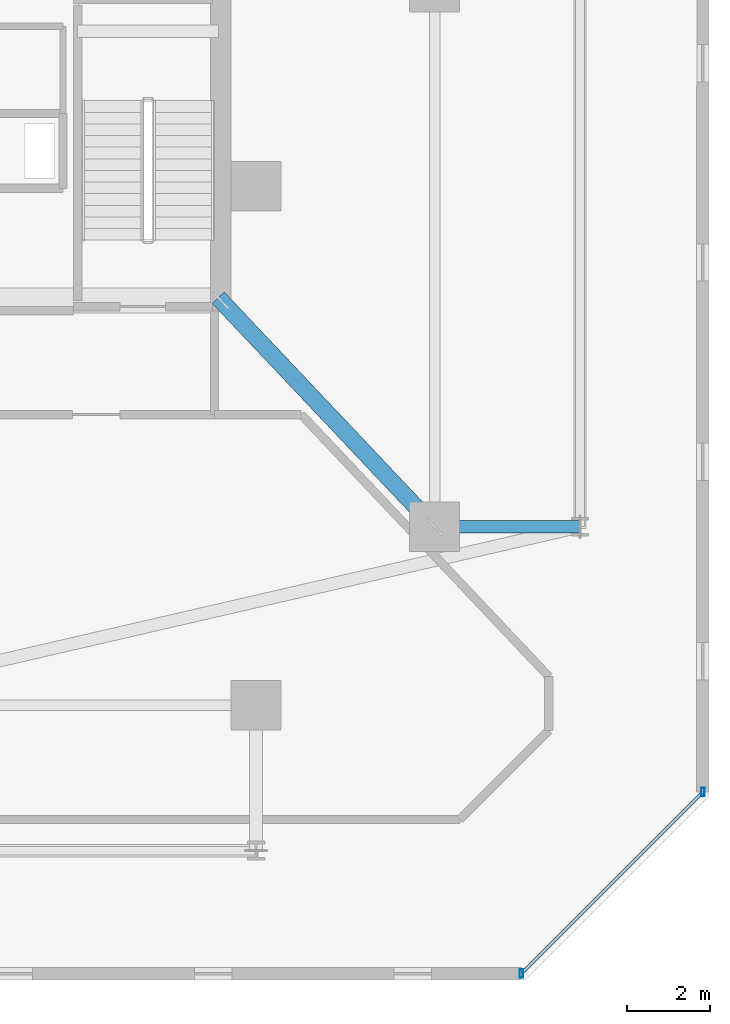
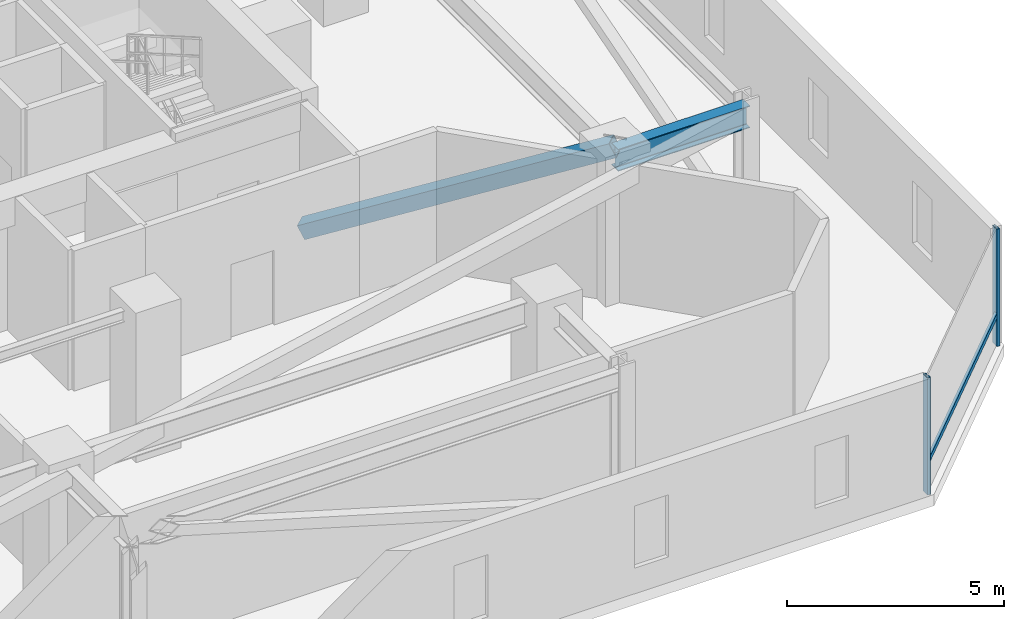
# One storey, part 23 of 45: 4 members, 1 beam, 1 element without a shape of its own.
"""IFC4 building model written with IfcOpenShell, lengths in metres."""

from ifc_helpers import new_model, si_unit, direction, frame, origin, origin_2d, place, context, subcontext, project, spatial, hollow_rectangle, i_section, extrude, material, material_profile, profile_set, type_object, element, aggregate, save


model = new_model("IFC4")

# Units and contexts
model_context = context("Model", 3, precision=1e-05, world=origin(), true_north=direction((0.0, 1.0)))
body_context = subcontext(model_context, "Body", "Model", "MODEL_VIEW")
ifc_project = project(units=[si_unit("LENGTHUNIT", "METRE"), si_unit("AREAUNIT", "SQUARE_METRE"), si_unit("VOLUMEUNIT", "CUBIC_METRE"), si_unit("PLANEANGLEUNIT", "RADIAN"), si_unit("MASSUNIT", "GRAM", prefix="KILO")], contexts=[model_context])

# Site, building, storey
site_placement = place(None, origin())
site = spatial("IfcSite", under=ifc_project, at=site_placement, CompositionType="ELEMENT")
building_placement = place(site_placement, origin())
building = spatial("IfcBuilding", under=site, at=building_placement, Name="Thornwick Lancets Civic Towers", CompositionType="ELEMENT")
storey_placement = place(building_placement, frame((0.0, 0.0, 141.300048828125)))
storey = spatial("IfcBuildingStorey", under=building, at=storey_placement, Name="L37", CompositionType="ELEMENT", Elevation=141.300048828125)

# Beam
ifc_material_1 = material(Name="Steel S355JR", Category="steel")
ifc_material_profile_1 = material_profile(ifc_material_1, i_section(OverallWidth=0.30712890625, OverallDepth=0.6201171875, WebThickness=0.01416015625, FlangeThickness=0.023681640625, FilletRadius=0.0166015625, at=origin_2d()), Name="UKB 610x305x179")
ifc_profile_set_1 = profile_set([ifc_material_profile_1], Name="Steel S355JR")
beam_type = type_object("IfcBeamType", Name="BM_GIRD_610_179", PredefinedType="BEAM", material=ifc_profile_set_1)
beam_placement = place(storey_placement, frame((105.800048828125, 14.0, 3.64990234375), z_axis=(1.0, 0.0, 0.0), x_axis=(0.0, 1.0, 0.0)))
element("IfcBeam", 1, at=beam_placement, inside=storey, type_object=beam_type, Name="BM-RAD-L37-B01", PredefinedType="BEAM", context=body_context, shape_type="SweptSolid", body=[
    extrude(i_section(OverallWidth=0.30712890625, OverallDepth=0.6201171875, WebThickness=0.01416015625, FlangeThickness=0.023681640625, FilletRadius=0.0166015625, at=origin_2d()), origin(), (0.0, 0.0, 1.0), 3.5),
])

# Curtain wall, members
ifc_material_2 = material(Name="Mid-zone chamfered-corner unitised glass curtain wall", Category="glass")
curtain_wall_type = type_object("IfcCurtainWallType", Name="CW_SYS_04", PredefinedType="NOTDEFINED", material=ifc_material_2)
curtain_wall_placement = place(storey_placement, origin())
curtain_wall = element("IfcCurtainWall", 2, at=curtain_wall_placement, inside=storey, type_object=curtain_wall_type, Name="L37 Curtain Wall CW-L37-B-E1", PredefinedType="NOTDEFINED")
ifc_material_3 = material(Name="Thermally broken bronze aluminium S355", Category="steel")
ifc_material_profile_2 = material_profile(ifc_material_3, hollow_rectangle(XDim=0.080078125, YDim=0.199951171875, WallThickness=0.006103515625, at=origin_2d()), Name="RHS 200x80x6")
ifc_profile_set_2 = profile_set([ifc_material_profile_2], Name="Thermally broken bronze aluminium S355")
member_type_1 = type_object("IfcMemberType", Name="CW_MUL_200", PredefinedType="MULLION", material=ifc_profile_set_2)
member_1_placement = place(storey_placement, frame((107.888427734375, 3.2412109375, 0.0), z_axis=(0.0, 0.0, 1.0), x_axis=(1.0, 0.0, 0.0)))
member_1 = element("IfcMember", 3, at=member_1_placement, type_object=member_type_1, Name="CW-L37-B-E1 Mullion 0", PredefinedType="MULLION", context=body_context, shape_type="SweptSolid", body=[
    extrude(hollow_rectangle(XDim=0.080078125, YDim=0.199951171875, WallThickness=0.006103515625, at=origin_2d()), origin(), (0.0, 0.0, 1.0), 3.300048828125),
])
member_2_placement = place(storey_placement, frame((112.2587890625, 7.611572265625, 0.0), z_axis=(0.0, 0.0, 1.0), x_axis=(1.0, 0.0, 0.0)))
member_2 = element("IfcMember", 4, at=member_2_placement, type_object=member_type_1, Name="CW-L37-B-E1 Mullion 1", PredefinedType="MULLION", context=body_context, shape_type="SweptSolid", body=[
    extrude(hollow_rectangle(XDim=0.080078125, YDim=0.199951171875, WallThickness=0.006103515625, at=origin_2d()), origin(), (0.0, 0.0, 1.0), 3.300048828125),
])
ifc_material_profile_3 = material_profile(ifc_material_3, hollow_rectangle(XDim=0.074951171875, YDim=0.14990234375, WallThickness=0.0048828125, at=origin_2d()), Name="RHS 150x75x5")
ifc_profile_set_3 = profile_set([ifc_material_profile_3], Name="Thermally broken bronze aluminium S355")
member_type_2 = type_object("IfcMemberType", Name="CW_TRN_150", PredefinedType="USERDEFINED", material=ifc_profile_set_3)
member_3_placement = place(storey_placement, frame((107.902587890625, 3.25537109375, 0.849853515625), z_axis=(0.707106781187, 0.707106781187, 0.0), x_axis=(-0.707106781187, 0.707106781187, 0.0)))
member_3 = element("IfcMember", 5, at=member_3_placement, type_object=member_type_2, Name="CW-L37-B-E1 Transom 0", ObjectType="TRANSOM", PredefinedType="USERDEFINED", context=body_context, shape_type="SweptSolid", body=[
    extrude(hollow_rectangle(XDim=0.074951171875, YDim=0.14990234375, WallThickness=0.0048828125, at=origin_2d()), origin(), (0.0, 0.0, 1.0), 6.140625),
])
aggregate(curtain_wall, [member_1, member_2, member_3])

# Member
ifc_material_4 = material(Name="Steel S460M", Category="steel")
ifc_material_profile_4 = material_profile(ifc_material_4, hollow_rectangle(XDim=0.39990234375, YDim=0.39990234375, WallThickness=0.02001953125, at=origin_2d()), Name="SHS 400x400x20")
ifc_profile_set_4 = profile_set([ifc_material_profile_4], Name="Steel S460M")
member_type_3 = type_object("IfcMemberType", Name="MEM_OUTRIG_SHS400", PredefinedType="BRACE", material=ifc_profile_set_4)
member_4_placement = place(storey_placement, frame((100.64990234375, 19.449951171875, 0.14990234375), z_axis=(0.612321218604, -0.6479661798, 0.452992886349), x_axis=(0.726815378038, 0.686832880872, 0.0)))
element("IfcMember", 6, at=member_4_placement, inside=storey, type_object=member_type_3, Name="L37 Outrigger Brace B-1", PredefinedType="BRACE", context=body_context, shape_type="SweptSolid", body=[
    extrude(hollow_rectangle(XDim=0.39990234375, YDim=0.39990234375, WallThickness=0.02001953125, at=origin_2d()), origin(), (0.0, 0.0, 1.0), 8.410888671875),
])

save(model, "model.ifc")
